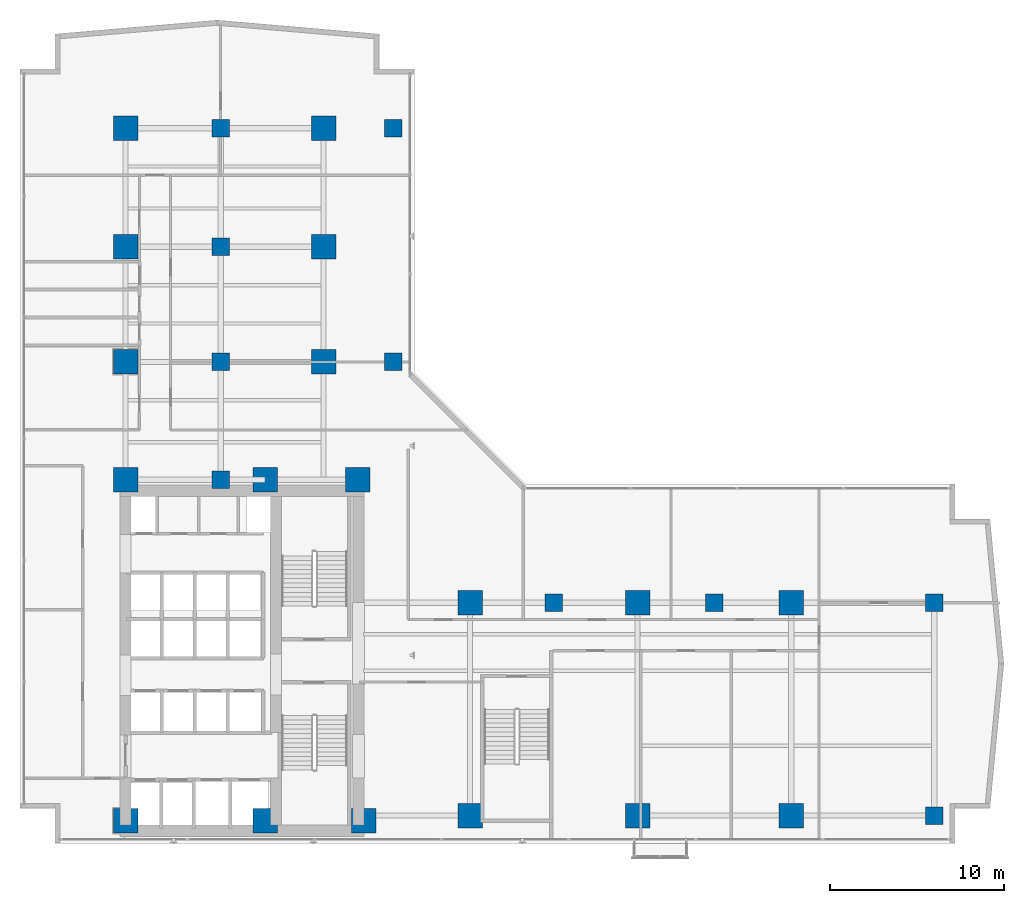
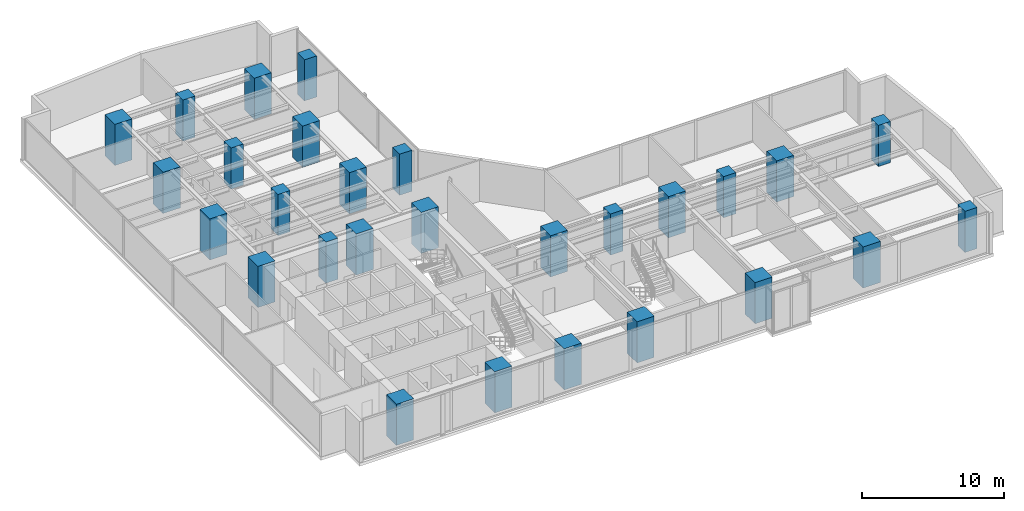
# One storey, part 1 of 28: 28 columns.
"""IFC4 building model written with IfcOpenShell, lengths in metres."""

from ifc_helpers import new_model, si_unit, direction, frame, origin, origin_2d, place, context, subcontext, project, spatial, rectangle, extrude, material, material_profile, profile_set, type_object, element, save


model = new_model("IFC4")

# Units and contexts
model_context = context("Model", 3, precision=1e-05, world=origin(), true_north=direction((0.0, 1.0)))
body_context = subcontext(model_context, "Body", "Model", "MODEL_VIEW")
ifc_project = project(units=[si_unit("LENGTHUNIT", "METRE"), si_unit("AREAUNIT", "SQUARE_METRE"), si_unit("VOLUMEUNIT", "CUBIC_METRE"), si_unit("PLANEANGLEUNIT", "RADIAN"), si_unit("MASSUNIT", "GRAM", prefix="KILO")], contexts=[model_context])

# Site, building, storey
site_placement = place(None, origin())
site = spatial("IfcSite", under=ifc_project, at=site_placement, CompositionType="ELEMENT")
building_placement = place(site_placement, origin())
building = spatial("IfcBuilding", under=site, at=building_placement, Name="Kolvaren Waterfront Exchange", CompositionType="ELEMENT")
storey_placement = place(building_placement, frame((0.0, 0.0, 103.10009765625)))
storey = spatial("IfcBuildingStorey", under=building, at=storey_placement, Name="L26", CompositionType="ELEMENT", Elevation=103.10009765625)

# Columns
ifc_material = material(Name="Concrete C60/75", Category="concrete")
ifc_material_profile_1 = material_profile(ifc_material, rectangle(XDim=1.0, YDim=1.0, at=origin_2d()), Name="RC-COL-1000x1000")
ifc_profile_set_1 = profile_set([ifc_material_profile_1], Name="Concrete C60/75")
column_type_1 = type_object("IfcColumnType", Name="STR-COL-1000-C60", PredefinedType="COLUMN", material=ifc_profile_set_1)
for number, where, z_axis, x_axis, name in (
    (1, (53.800048828125, 5.199951171875, 0.0), (0.0, 0.0, 1.0), (1.0, 0.0, 0.0), "L26 column ZC01"),
    (2, (53.800048828125, 17.39990234375, 0.0), (0.0, 0.0, 1.0), (1.0, 0.0, 0.0), "L26 column ZC02"),
    (3, (22.800048828125, 31.199951171875, 0.0), (0.0, 0.0, 1.0), (1.0, 0.0, 0.0), "L26 column ZC05"),
    (4, (22.800048828125, 44.60009765625, 0.0), (0.0, 0.0, 1.0), (1.0, 0.0, 0.0), "L26 column ZC06"),
    (5, (12.89990234375, 24.449951171875, 0.0), (0.0, 0.0, 1.0), (1.0, 0.0, 0.0), "L26 column TC01"),
    (6, (12.89990234375, 31.199951171875, 0.0), (0.0, 0.0, 1.0), (1.0, 0.0, 0.0), "L26 column TC02"),
    (7, (12.89990234375, 37.800048828125, 0.0), (0.0, 0.0, 1.0), (1.0, 0.0, 0.0), "L26 column TC03"),
    (8, (12.89990234375, 44.60009765625, 0.0), (0.0, 0.0, 1.0), (1.0, 0.0, 0.0), "L26 column TC04"),
    (9, (32.0, 17.39990234375, 0.0), (0.0, 0.0, 1.0), (1.0, 0.0, 0.0), "L26 column TC05"),
    (10, (41.199951171875, 17.39990234375, 0.0), (0.0, 0.0, 1.0), (1.0, 0.0, 0.0), "L26 column TC06"),
):
    element("IfcColumn", number, at=place(storey_placement, frame(where, z_axis=z_axis, x_axis=x_axis)), inside=storey, type_object=column_type_1, Name=name, PredefinedType="COLUMN", context=body_context, shape_type="SweptSolid", body=[
        extrude(rectangle(XDim=1.0, YDim=1.0, at=origin_2d()), origin(), (0.0, 0.0, 1.0), 3.539794921875),
    ])
ifc_material_profile_2 = material_profile(ifc_material, rectangle(XDim=1.39990234375, YDim=1.39990234375, at=origin_2d()), Name="RC-COL-1400x1400")
ifc_profile_set_2 = profile_set([ifc_material_profile_2], Name="Concrete C60/75")
column_type_2 = type_object("IfcColumnType", Name="STR-COL-1400-C60", PredefinedType="COLUMN", material=ifc_profile_set_2)
for number, where, z_axis, x_axis, name in (
    (11, (7.449951171875, 4.89990234375, 0.0), (0.0, 0.0, 1.0), (1.0, 0.0, 0.0), "L26 column MC01"),
    (12, (15.449951171875, 4.89990234375, 0.0), (0.0, 0.0, 1.0), (1.0, 0.0, 0.0), "L26 column MC02"),
    (13, (21.10009765625, 4.89990234375, 0.0), (0.0, 0.0, 1.0), (1.0, 0.0, 0.0), "L26 column MC03"),
    (14, (7.449951171875, 24.449951171875, 0.0), (0.0, 0.0, 1.0), (1.0, 0.0, 0.0), "L26 column MC04"),
    (15, (15.449951171875, 24.449951171875, 0.0), (0.0, 0.0, 1.0), (1.0, 0.0, 0.0), "L26 column MC05"),
    (16, (20.75, 24.449951171875, 0.0), (0.0, 0.0, 1.0), (1.0, 0.0, 0.0), "L26 column MC06"),
    (17, (7.449951171875, 31.199951171875, 0.0), (0.0, 0.0, 1.0), (1.0, 0.0, 0.0), "L26 column NC01"),
    (18, (7.449951171875, 37.800048828125, 0.0), (0.0, 0.0, 1.0), (1.0, 0.0, 0.0), "L26 column NC02"),
    (19, (7.449951171875, 44.60009765625, 0.0), (0.0, 0.0, 1.0), (1.0, 0.0, 0.0), "L26 column NC03"),
    (20, (18.800048828125, 31.199951171875, 0.0), (0.0, 0.0, 1.0), (1.0, 0.0, 0.0), "L26 column NC04"),
    (21, (18.800048828125, 37.800048828125, 0.0), (0.0, 0.0, 1.0), (1.0, 0.0, 0.0), "L26 column NC05"),
    (22, (18.800048828125, 44.60009765625, 0.0), (0.0, 0.0, 1.0), (1.0, 0.0, 0.0), "L26 column NC06"),
    (23, (27.199951171875, 5.199951171875, 0.0), (0.0, 0.0, 1.0), (1.0, 0.0, 0.0), "L26 column EC01"),
    (24, (36.800048828125, 5.199951171875, 0.0), (0.0, 0.0, 1.0), (1.0, 0.0, 0.0), "L26 column EC02"),
    (25, (45.60009765625, 5.199951171875, 0.0), (0.0, 0.0, 1.0), (1.0, 0.0, 0.0), "L26 column EC03"),
    (26, (27.199951171875, 17.39990234375, 0.0), (0.0, 0.0, 1.0), (1.0, 0.0, 0.0), "L26 column EC04"),
    (27, (36.800048828125, 17.39990234375, 0.0), (0.0, 0.0, 1.0), (1.0, 0.0, 0.0), "L26 column EC05"),
    (28, (45.60009765625, 17.39990234375, 0.0), (0.0, 0.0, 1.0), (1.0, 0.0, 0.0), "L26 column EC06"),
):
    element("IfcColumn", number, at=place(storey_placement, frame(where, z_axis=z_axis, x_axis=x_axis)), inside=storey, type_object=column_type_2, Name=name, PredefinedType="COLUMN", context=body_context, shape_type="SweptSolid", body=[
        extrude(rectangle(XDim=1.39990234375, YDim=1.39990234375, at=origin_2d()), origin(), (0.0, 0.0, 1.0), 3.539794921875),
    ])

save(model, "model.ifc")
